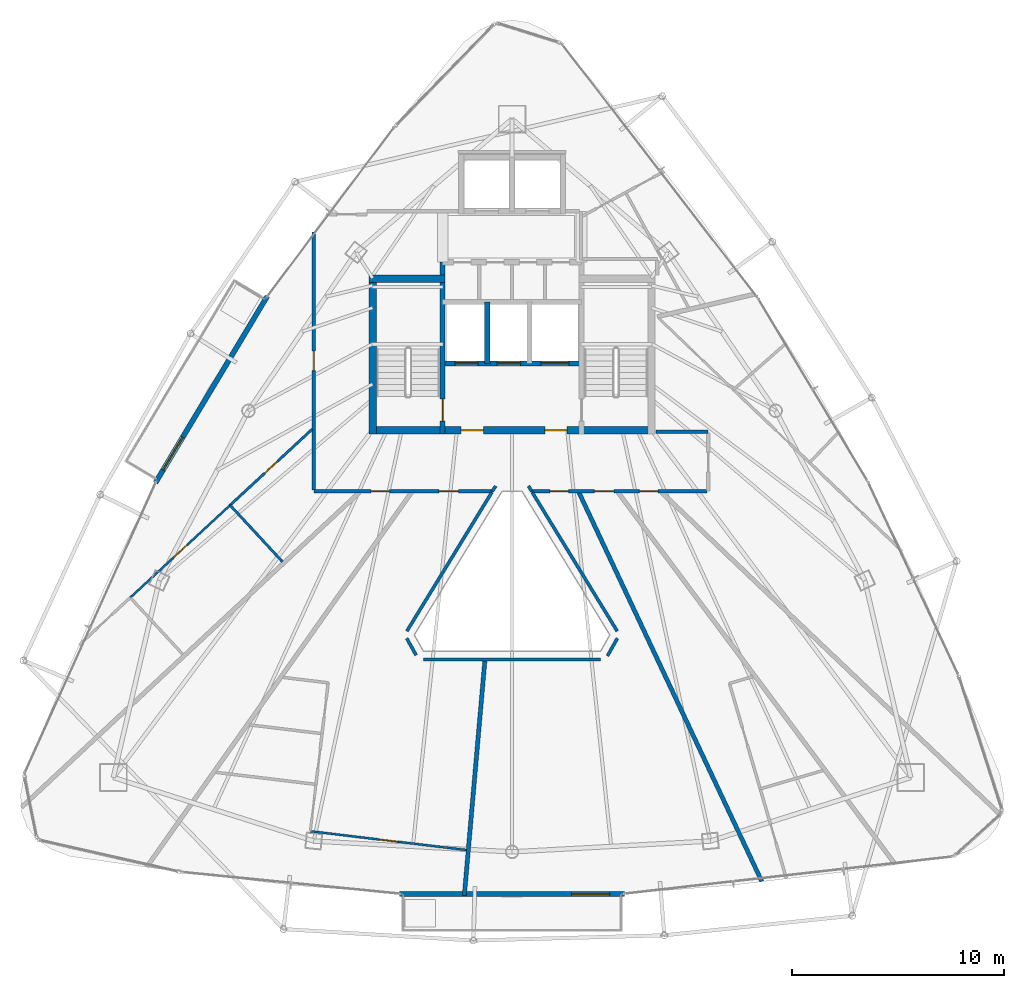
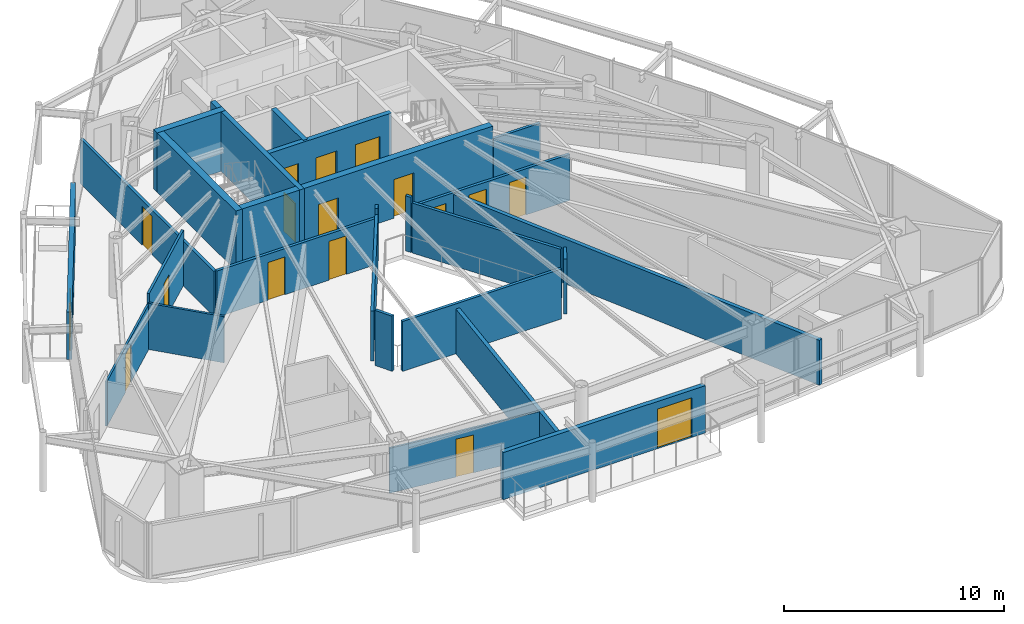
# One storey, part 27 of 32: 25 walls, 17 doors, 17 openings.
"""IFC4 building model written with IfcOpenShell, lengths in metres."""

from ifc_helpers import new_model, si_unit, direction, frame, frame_2d, origin, place, context, subcontext, project, spatial, rectangle, extrude, material, layer, layer_set, type_object, element, fill, save


model = new_model("IFC4")

# Units and contexts
model_context = context("Model", 3, precision=1e-05, world=origin(), true_north=direction((0.0, 1.0)))
body_context = subcontext(model_context, "Body", "Model", "MODEL_VIEW")
ifc_project = project(units=[si_unit("LENGTHUNIT", "METRE"), si_unit("AREAUNIT", "SQUARE_METRE"), si_unit("VOLUMEUNIT", "CUBIC_METRE"), si_unit("PLANEANGLEUNIT", "RADIAN"), si_unit("MASSUNIT", "GRAM", prefix="KILO")], contexts=[model_context])

# Site, building, storey
site_placement = place(None, origin())
site = spatial("IfcSite", under=ifc_project, at=site_placement, CompositionType="ELEMENT")
building_placement = place(site_placement, origin())
building = spatial("IfcBuilding", under=site, at=building_placement, Name="Orvanel Arch Residences", CompositionType="ELEMENT")
storey_placement = place(building_placement, frame((0.0, 0.0, 219.5)))
storey = spatial("IfcBuildingStorey", under=building, at=storey_placement, Name="L62", CompositionType="ELEMENT", Elevation=219.5)

# Wall, opening, door
ifc_material_1 = material(Name="Precast concrete N50 (50 MPa)", Category="concrete")
ifc_layer_1 = layer(ifc_material_1, 0.239990234375)
ifc_layer_set_1 = layer_set([ifc_layer_1], Name="Precast concrete N50 (50 MPa)")
wall_type_1 = type_object("IfcWallType", Name="EW-BAL-240", PredefinedType="SOLIDWALL", material=ifc_layer_set_1)
wall_1_placement = place(storey_placement, frame((21.4580078125, 33.0419921875, 0.0), z_axis=(0.0, 0.0, 1.0), x_axis=(-0.51433465168, -0.857589567381, 0.0)))
wall_1 = element("IfcWall", 1, at=wall_1_placement, inside=storey, type_object=wall_type_1, Name="L62 Balcony Threshold Wall Face 1", PredefinedType="SOLIDWALL", context=body_context, shape_type="SweptSolid", body=[
    extrude(rectangle(XDim=10.251953125, YDim=0.239990234375, at=frame_2d((5.1259765625, 0.0))), origin(), (0.0, 0.0, 1.0), 2.6240234375),
])
opening_1_placement = place(wall_1_placement, frame((7.75390625, 0.0, 0.0)))
opening_1 = element("IfcOpeningElement", 2, at=opening_1_placement, cuts=wall_1, Name="Opening DB-180", PredefinedType="OPENING", context=body_context, shape_type="SweptSolid", body=[
    extrude(rectangle(XDim=1.800048828125, YDim=2.199951171875, at=frame_2d((0.89990234375, 1.10009765625))), frame((0.0, 0.1298828125, 0.0), z_axis=(0.0, -1.0, 0.0), x_axis=(1.0, 0.0, 0.0)), (0.0, 0.0, 1.0), 0.260009765625),
])
ifc_material_2 = material(Name="Bronze-anodised aluminium AA6063-T6", Category="aluminium")
door_type_1 = type_object("IfcDoorType", Name="DR-BAL-1800", OperationType="NOTDEFINED", PredefinedType="DOOR", material=ifc_material_2)
door_1_placement = place(opening_1_placement, origin())
door_1 = element("IfcDoor", 3, at=door_1_placement, inside=storey, type_object=door_type_1, Name="DR-L62-BAL-F1 L62 Planted Balcony Access Door Face 1", OperationType="SINGLE_SWING_RIGHT", OverallHeight=2.199951171875, OverallWidth=1.800048828125, PredefinedType="DOOR", context=body_context, shape_type="SweptSolid", body=[
    extrude(rectangle(XDim=1.800048828125, YDim=2.199951171875, at=frame_2d((0.89990234375, 1.10009765625))), frame((0.0, 0.02490234375, 0.0), z_axis=(0.0, -1.0, 0.0), x_axis=(1.0, 0.0, 0.0)), (0.0, 0.0, 1.0), 0.050048828125),
])
fill(opening_1, door_1)

wall_2_placement = place(storey_placement, frame((27.696044921875, 4.85888671875, 0.0), z_axis=(0.0, 0.0, 1.0), x_axis=(1.0, 0.0, 0.0)))
wall_2 = element("IfcWall", 4, at=wall_2_placement, inside=storey, type_object=wall_type_1, Name="L62 Balcony Threshold Wall Face 2", PredefinedType="SOLIDWALL", context=body_context, shape_type="SweptSolid", body=[
    extrude(rectangle(XDim=10.60791015625, YDim=0.239990234375, at=frame_2d((5.303955078125, 0.0))), origin(), (0.0, 0.0, 1.0), 2.6240234375),
])
opening_2_placement = place(wall_2_placement, frame((8.10888671875, 0.0, 0.0)))
opening_2 = element("IfcOpeningElement", 5, at=opening_2_placement, cuts=wall_2, Name="Opening DB-180", PredefinedType="OPENING", context=body_context, shape_type="SweptSolid", body=[
    extrude(rectangle(XDim=1.800048828125, YDim=2.199951171875, at=frame_2d((0.89990234375, 1.10009765625))), frame((0.0, 0.1298828125, 0.0), z_axis=(0.0, -1.0, 0.0), x_axis=(1.0, 0.0, 0.0)), (0.0, 0.0, 1.0), 0.260009765625),
])
door_2_placement = place(opening_2_placement, origin())
door_2 = element("IfcDoor", 6, at=door_2_placement, inside=storey, type_object=door_type_1, Name="DR-L62-BAL-F2 L62 Planted Balcony Access Door Face 2", OperationType="SINGLE_SWING_LEFT", OverallHeight=2.199951171875, OverallWidth=1.800048828125, PredefinedType="DOOR", context=body_context, shape_type="SweptSolid", body=[
    extrude(rectangle(XDim=1.800048828125, YDim=2.199951171875, at=frame_2d((0.89990234375, 1.10009765625))), frame((0.0, 0.02490234375, 0.0), z_axis=(0.0, -1.0, 0.0), x_axis=(1.0, 0.0, 0.0)), (0.0, 0.0, 1.0), 0.050048828125),
])
fill(opening_2, door_2)

ifc_material_3 = material(Name="Concrete N50 (50 MPa)", Category="concrete")
ifc_layer_2 = layer(ifc_material_3, 0.25)
ifc_layer_set_2 = layer_set([ifc_layer_2], Name="Concrete N50 (50 MPa)")
wall_type_2 = type_object("IfcWallType", Name="SW-CORE-250", PredefinedType="SHEAR", material=ifc_layer_set_2)
wall_3_placement = place(storey_placement, frame((29.72509765625, 26.550048828125, 0.0), z_axis=(0.0, 0.0, 1.0), x_axis=(0.0, 1.0, 0.0)))
wall_3 = element("IfcWall", 7, at=wall_3_placement, inside=storey, type_object=wall_type_2, Name="L62 West Inner Core Spine Shear Wall", PredefinedType="SHEAR", context=body_context, shape_type="SweptSolid", body=[
    extrude(rectangle(XDim=8.099853515625, YDim=0.25, at=frame_2d((4.0498046875, 0.0))), origin(), (0.0, 0.0, 1.0), 3.300048828125),
])
opening_3_placement = place(wall_3_placement, frame((0.60009765625, 0.0, 0.0)))
opening_3 = element("IfcOpeningElement", 8, at=opening_3_placement, cuts=wall_3, Name="Opening DF-120", PredefinedType="OPENING", context=body_context, shape_type="SweptSolid", body=[
    extrude(rectangle(XDim=1.050048828125, YDim=2.14990234375, at=frame_2d((0.52490234375, 1.074951171875))), frame((0.0, 0.135009765625, 0.0), z_axis=(0.0, -1.0, 0.0), x_axis=(1.0, 0.0, 0.0)), (0.0, 0.0, 1.0), 0.27001953125),
])
ifc_material_4 = material(Name="Galvanised steel fire-resisting door assembly", Category="steel")
door_type_2 = type_object("IfcDoorType", Name="DR-FD120-1050", OperationType="NOTDEFINED", PredefinedType="DOOR", material=ifc_material_4)
door_3_placement = place(opening_3_placement, origin())
door_3 = element("IfcDoor", 9, at=door_3_placement, inside=storey, type_object=door_type_2, Name="DR-L62-ST1 L62 Stair 1 Fire Door", OperationType="SINGLE_SWING_LEFT", OverallHeight=2.14990234375, OverallWidth=1.050048828125, PredefinedType="DOOR", context=body_context, shape_type="SweptSolid", body=[
    extrude(rectangle(XDim=1.050048828125, YDim=2.14990234375, at=frame_2d((0.52490234375, 1.074951171875))), frame((0.0, 0.02490234375, 0.0), z_axis=(0.0, -1.0, 0.0), x_axis=(1.0, 0.0, 0.0)), (0.0, 0.0, 1.0), 0.050048828125),
])
fill(opening_3, door_3)

# Wall, openings, doors
wall_4_placement = place(storey_placement, frame((36.27490234375, 29.875, 0.0), z_axis=(0.0, 0.0, 1.0), x_axis=(-1.0, 0.0, 0.0)))
wall_4 = element("IfcWall", 10, at=wall_4_placement, inside=storey, type_object=wall_type_2, Name="L62 Emergency Lift Front Core Shear Wall", PredefinedType="SHEAR", context=body_context, shape_type="SweptSolid", body=[
    extrude(rectangle(XDim=6.5498046875, YDim=0.25, at=frame_2d((3.27490234375, 0.0))), origin(), (0.0, 0.0, 1.0), 3.300048828125),
])
opening_4_placement = place(wall_4_placement, frame((4.875, 0.0, 0.0)))
opening_4 = element("IfcOpeningElement", 11, at=opening_4_placement, cuts=wall_4, Name="Opening LD-110", PredefinedType="OPENING", context=body_context, shape_type="SweptSolid", body=[
    extrude(rectangle(XDim=1.10009765625, YDim=2.199951171875, at=frame_2d((0.550048828125, 1.10009765625))), frame((0.0, 0.135009765625, 0.0), z_axis=(0.0, -1.0, 0.0), x_axis=(1.0, 0.0, 0.0)), (0.0, 0.0, 1.0), 0.27001953125),
])
opening_5_placement = place(wall_4_placement, frame((2.875, 0.0, 0.0)))
opening_5 = element("IfcOpeningElement", 12, at=opening_5_placement, cuts=wall_4, Name="Opening LD-110", PredefinedType="OPENING", context=body_context, shape_type="SweptSolid", body=[
    extrude(rectangle(XDim=1.10009765625, YDim=2.199951171875, at=frame_2d((0.550048828125, 1.10009765625))), frame((0.0, 0.135009765625, 0.0), z_axis=(0.0, -1.0, 0.0), x_axis=(1.0, 0.0, 0.0)), (0.0, 0.0, 1.0), 0.27001953125),
])
opening_6_placement = place(wall_4_placement, frame((0.60009765625, 0.0, 0.0)))
opening_6 = element("IfcOpeningElement", 13, at=opening_6_placement, cuts=wall_4, Name="Opening LD-130", PredefinedType="OPENING", context=body_context, shape_type="SweptSolid", body=[
    extrude(rectangle(XDim=1.300048828125, YDim=2.199951171875, at=frame_2d((0.64990234375, 1.10009765625))), frame((0.0, 0.135009765625, 0.0), z_axis=(0.0, -1.0, 0.0), x_axis=(1.0, 0.0, 0.0)), (0.0, 0.0, 1.0), 0.27001953125),
])
door_type_3 = type_object("IfcDoorType", Name="DR-LFT-1100", OperationType="NOTDEFINED", PredefinedType="DOOR", material=ifc_material_4)
door_4_placement = place(opening_4_placement, origin())
door_4 = element("IfcDoor", 14, at=door_4_placement, inside=storey, type_object=door_type_3, Name="LD-F1-L62 L62 Lift F1 Sliding Landing Door", OperationType="DOUBLE_DOOR_SLIDING", OverallHeight=2.199951171875, OverallWidth=1.10009765625, PredefinedType="DOOR", context=body_context, shape_type="SweptSolid", body=[
    extrude(rectangle(XDim=1.10009765625, YDim=2.199951171875, at=frame_2d((0.550048828125, 1.10009765625))), frame((0.0, 0.02490234375, 0.0), z_axis=(0.0, -1.0, 0.0), x_axis=(1.0, 0.0, 0.0)), (0.0, 0.0, 1.0), 0.050048828125),
])
fill(opening_4, door_4)
door_5_placement = place(opening_5_placement, origin())
door_5 = element("IfcDoor", 15, at=door_5_placement, inside=storey, type_object=door_type_3, Name="LD-F2-L62 L62 Lift F2 Sliding Landing Door", OperationType="DOUBLE_DOOR_SLIDING", OverallHeight=2.199951171875, OverallWidth=1.10009765625, PredefinedType="DOOR", context=body_context, shape_type="SweptSolid", body=[
    extrude(rectangle(XDim=1.10009765625, YDim=2.199951171875, at=frame_2d((0.550048828125, 1.10009765625))), frame((0.0, 0.02490234375, 0.0), z_axis=(0.0, -1.0, 0.0), x_axis=(1.0, 0.0, 0.0)), (0.0, 0.0, 1.0), 0.050048828125),
])
fill(opening_5, door_5)
door_type_4 = type_object("IfcDoorType", Name="DR-LFT-1300", OperationType="NOTDEFINED", PredefinedType="DOOR", material=ifc_material_4)
door_6_placement = place(opening_6_placement, origin())
door_6 = element("IfcDoor", 16, at=door_6_placement, inside=storey, type_object=door_type_4, Name="LD-G1-L62 L62 Lift G1 Sliding Landing Door", OperationType="DOUBLE_DOOR_SLIDING", OverallHeight=2.199951171875, OverallWidth=1.300048828125, PredefinedType="DOOR", context=body_context, shape_type="SweptSolid", body=[
    extrude(rectangle(XDim=1.300048828125, YDim=2.199951171875, at=frame_2d((0.64990234375, 1.10009765625))), frame((0.0, 0.02490234375, 0.0), z_axis=(0.0, -1.0, 0.0), x_axis=(1.0, 0.0, 0.0)), (0.0, 0.0, 1.0), 0.050048828125),
])
fill(opening_6, door_6)

# Wall
wall_5_placement = place(storey_placement, frame((31.824951171875, 29.875, 0.0), z_axis=(0.0, 0.0, 1.0), x_axis=(0.0, 1.0, 0.0)))
element("IfcWall", 17, at=wall_5_placement, inside=storey, type_object=wall_type_2, Name="L62 Emergency Lift Inter-Shaft Wall F12", PredefinedType="SHEAR", context=body_context, shape_type="SweptSolid", body=[
    extrude(rectangle(XDim=2.89990234375, YDim=0.25, at=frame_2d((1.449951171875, 0.0))), origin(), (0.0, 0.0, 1.0), 3.300048828125),
])

# Wall, openings, doors
ifc_layer_3 = layer(ifc_material_3, 0.35009765625)
ifc_layer_set_3 = layer_set([ifc_layer_3], Name="Concrete N50 (50 MPa)")
wall_type_3 = type_object("IfcWallType", Name="SW-CORE-350", PredefinedType="SHEAR", material=ifc_layer_set_3)
wall_6_placement = place(storey_placement, frame((26.25, 26.72509765625, 0.0), z_axis=(0.0, 0.0, 1.0), x_axis=(1.0, 0.0, 0.0)))
wall_6 = element("IfcWall", 18, at=wall_6_placement, inside=storey, type_object=wall_type_3, Name="L62 South Core Shear Wall", PredefinedType="SHEAR", context=body_context, shape_type="SweptSolid", body=[
    extrude(rectangle(XDim=13.5, YDim=0.35009765625, at=frame_2d((6.75, 0.0))), origin(), (0.0, 0.0, 1.0), 3.300048828125),
])
opening_7_placement = place(wall_6_placement, frame((4.35009765625, 0.0, 0.0)))
opening_7 = element("IfcOpeningElement", 19, at=opening_7_placement, cuts=wall_6, Name="Opening DF-060", PredefinedType="OPENING", context=body_context, shape_type="SweptSolid", body=[
    extrude(rectangle(XDim=1.050048828125, YDim=2.14990234375, at=frame_2d((0.52490234375, 1.074951171875))), frame((0.0, 0.18505859375, 0.0), z_axis=(0.0, -1.0, 0.0), x_axis=(1.0, 0.0, 0.0)), (0.0, 0.0, 1.0), 0.3701171875),
])
opening_8_placement = place(wall_6_placement, frame((8.300048828125, 0.0, 0.0)))
opening_8 = element("IfcOpeningElement", 20, at=opening_8_placement, cuts=wall_6, Name="Opening DF-060", PredefinedType="OPENING", context=body_context, shape_type="SweptSolid", body=[
    extrude(rectangle(XDim=1.050048828125, YDim=2.14990234375, at=frame_2d((0.52490234375, 1.074951171875))), frame((0.0, 0.18505859375, 0.0), z_axis=(0.0, -1.0, 0.0), x_axis=(1.0, 0.0, 0.0)), (0.0, 0.0, 1.0), 0.3701171875),
])
door_type_5 = type_object("IfcDoorType", Name="DR-FD60-1050", OperationType="NOTDEFINED", PredefinedType="DOOR", material=ifc_material_4)
door_7_placement = place(opening_7_placement, origin())
door_7 = element("IfcDoor", 21, at=door_7_placement, inside=storey, type_object=door_type_5, Name="DR-L62-FFL-W L62 West Smoke Lobby Door", OperationType="SINGLE_SWING_LEFT", OverallHeight=2.14990234375, OverallWidth=1.050048828125, PredefinedType="DOOR", context=body_context, shape_type="SweptSolid", body=[
    extrude(rectangle(XDim=1.050048828125, YDim=2.14990234375, at=frame_2d((0.52490234375, 1.074951171875))), frame((0.0, 0.02490234375, 0.0), z_axis=(0.0, -1.0, 0.0), x_axis=(1.0, 0.0, 0.0)), (0.0, 0.0, 1.0), 0.050048828125),
])
fill(opening_7, door_7)
door_8_placement = place(opening_8_placement, origin())
door_8 = element("IfcDoor", 22, at=door_8_placement, inside=storey, type_object=door_type_5, Name="DR-L62-FFL-E L62 East Smoke Lobby Door", OperationType="SINGLE_SWING_RIGHT", OverallHeight=2.14990234375, OverallWidth=1.050048828125, PredefinedType="DOOR", context=body_context, shape_type="SweptSolid", body=[
    extrude(rectangle(XDim=1.050048828125, YDim=2.14990234375, at=frame_2d((0.52490234375, 1.074951171875))), frame((0.0, 0.02490234375, 0.0), z_axis=(0.0, -1.0, 0.0), x_axis=(1.0, 0.0, 0.0)), (0.0, 0.0, 1.0), 0.050048828125),
])
fill(opening_8, door_8)

# Walls
wall_7_placement = place(storey_placement, frame((26.425048828125, 26.550048828125, 0.0), z_axis=(0.0, 0.0, 1.0), x_axis=(0.0, 1.0, 0.0)))
element("IfcWall", 23, at=wall_7_placement, inside=storey, type_object=wall_type_3, Name="L62 West Stair Shear Wall", PredefinedType="SHEAR", context=body_context, shape_type="SweptSolid", body=[
    extrude(rectangle(XDim=7.5, YDim=0.35009765625, at=frame_2d((3.75, 0.0))), origin(), (0.0, 0.0, 1.0), 3.300048828125),
])
wall_8_placement = place(storey_placement, frame((26.25, 33.875, 0.0), z_axis=(0.0, 0.0, 1.0), x_axis=(1.0, 0.0, 0.0)))
element("IfcWall", 24, at=wall_8_placement, inside=storey, type_object=wall_type_3, Name="L62 West Stair North Shear Wall", PredefinedType="SHEAR", context=body_context, shape_type="SweptSolid", body=[
    extrude(rectangle(XDim=3.60009765625, YDim=0.35009765625, at=frame_2d((1.800048828125, 0.0))), origin(), (0.0, 0.0, 1.0), 3.300048828125),
])
ifc_material_5 = material(Name="Fire-rated plasterboard lined steel stud partition", Category="steel")
ifc_layer_4 = layer(ifc_material_5, 0.14990234375)
ifc_layer_set_4 = layer_set([ifc_layer_4], Name="Fire-rated plasterboard lined steel stud partition")
wall_type_4 = type_object("IfcWallType", Name="W-COR-150", PredefinedType="PARTITIONING", material=ifc_layer_set_4)
wall_9_placement = place(storey_placement, frame((32.22802734375, 24.093994140625, 0.0), z_axis=(0.0, 0.0, 1.0), x_axis=(-0.53643811989, -0.843939656331, 0.0)))
element("IfcWall", 25, at=wall_9_placement, inside=storey, type_object=wall_type_4, Name="L62 Corridor Fire-Rated Partition", PredefinedType="PARTITIONING", context=body_context, shape_type="SweptSolid", body=[
    extrude(rectangle(XDim=0.2890625, YDim=0.14990234375, at=frame_2d((0.14453125, 0.0))), origin(), (0.0, 0.0, 1.0), 3.06005859375),
])

# Wall, openings, doors
wall_10_placement = place(storey_placement, frame((32.072998046875, 23.85009765625, 0.0), z_axis=(0.0, 0.0, 1.0), x_axis=(-1.0, 0.0, 0.0)))
wall_10 = element("IfcWall", 26, at=wall_10_placement, inside=storey, type_object=wall_type_4, Name="L62 Corridor Fire-Rated Partition", PredefinedType="PARTITIONING", context=body_context, shape_type="SweptSolid", body=[
    extrude(rectangle(XDim=8.423095703125, YDim=0.14990234375, at=frame_2d((4.21142578125, 0.0))), origin(), (0.0, 0.0, 1.0), 2.56494140625),
])
opening_9_placement = place(wall_10_placement, frame((1.60107421875, 0.0, 0.0)))
opening_9 = element("IfcOpeningElement", 27, at=opening_9_placement, cuts=wall_10, Name="Opening DA-092", PredefinedType="OPENING", context=body_context, shape_type="SweptSolid", body=[
    extrude(rectangle(XDim=0.919921875, YDim=2.14990234375, at=frame_2d((0.4599609375, 1.074951171875))), frame((0.0, 0.0849609375, 0.0), z_axis=(0.0, -1.0, 0.0), x_axis=(1.0, 0.0, 0.0)), (0.0, 0.0, 1.0), 0.169921875),
])
opening_10_placement = place(wall_10_placement, frame((4.841064453125, 0.0, 0.0)))
opening_10 = element("IfcOpeningElement", 28, at=opening_10_placement, cuts=wall_10, Name="Opening DI-088", PredefinedType="OPENING", context=body_context, shape_type="SweptSolid", body=[
    extrude(rectangle(XDim=0.8798828125, YDim=2.10009765625, at=frame_2d((0.43994140625, 1.050048828125))), frame((0.0, 0.0849609375, 0.0), z_axis=(0.0, -1.0, 0.0), x_axis=(1.0, 0.0, 0.0)), (0.0, 0.0, 1.0), 0.169921875),
])
ifc_material_6 = material(Name="Solid-core European oak veneer fire door leaf", Category="wood")
door_type_6 = type_object("IfcDoorType", Name="DR-APT-920", OperationType="NOTDEFINED", PredefinedType="DOOR", material=ifc_material_6)
door_9_placement = place(opening_9_placement, origin())
door_9 = element("IfcDoor", 29, at=door_9_placement, inside=storey, type_object=door_type_6, Name="DR-L62-A-ENT L62 Studio A Entrance Door", OperationType="SINGLE_SWING_RIGHT", OverallHeight=2.14990234375, OverallWidth=0.919921875, PredefinedType="DOOR", context=body_context, shape_type="SweptSolid", body=[
    extrude(rectangle(XDim=0.919921875, YDim=2.14990234375, at=frame_2d((0.4599609375, 1.074951171875))), frame((0.0, 0.02490234375, 0.0), z_axis=(0.0, -1.0, 0.0), x_axis=(1.0, 0.0, 0.0)), (0.0, 0.0, 1.0), 0.050048828125),
])
fill(opening_9, door_9)
door_type_7 = type_object("IfcDoorType", Name="DR-INT-880", OperationType="NOTDEFINED", PredefinedType="DOOR", material=ifc_material_6)
door_10_placement = place(opening_10_placement, origin())
door_10 = element("IfcDoor", 30, at=door_10_placement, inside=storey, type_object=door_type_7, Name="DR-L62-SHRD-FB6 L62 Co-Working Study Office F Door", OperationType="SINGLE_SWING_LEFT", OverallHeight=2.10009765625, OverallWidth=0.8798828125, PredefinedType="DOOR", context=body_context, shape_type="SweptSolid", body=[
    extrude(rectangle(XDim=0.8798828125, YDim=2.10009765625, at=frame_2d((0.43994140625, 1.050048828125))), frame((0.0, 0.02490234375, 0.0), z_axis=(0.0, -1.0, 0.0), x_axis=(1.0, 0.0, 0.0)), (0.0, 0.0, 1.0), 0.050048828125),
])
fill(opening_10, door_10)

# Wall, opening, door
wall_11_placement = place(storey_placement, frame((23.64990234375, 23.909912109375, 0.0), z_axis=(0.0, 0.0, 1.0), x_axis=(0.0, 1.0, 0.0)))
wall_11 = element("IfcWall", 31, at=wall_11_placement, inside=storey, type_object=wall_type_4, Name="L62 Corridor Fire-Rated Partition", PredefinedType="PARTITIONING", context=body_context, shape_type="SweptSolid", body=[
    extrude(rectangle(XDim=12.1630859375, YDim=0.14990234375, at=frame_2d((6.08154296875, 0.0))), origin(), (0.0, 0.0, 1.0), 2.491943359375),
])
opening_11_placement = place(wall_11_placement, frame((5.6220703125, 0.0, 0.0)))
opening_11 = element("IfcOpeningElement", 32, at=opening_11_placement, cuts=wall_11, Name="Opening DA-092", PredefinedType="OPENING", context=body_context, shape_type="SweptSolid", body=[
    extrude(rectangle(XDim=0.919921875, YDim=2.14990234375, at=frame_2d((0.4599609375, 1.074951171875))), frame((0.0, 0.0849609375, 0.0), z_axis=(0.0, -1.0, 0.0), x_axis=(1.0, 0.0, 0.0)), (0.0, 0.0, 1.0), 0.169921875),
])
door_11_placement = place(opening_11_placement, origin())
door_11 = element("IfcDoor", 33, at=door_11_placement, inside=storey, type_object=door_type_6, Name="DR-L62-D-ENT L62 Studio D Entrance Door", OperationType="SINGLE_SWING_LEFT", OverallHeight=2.14990234375, OverallWidth=0.919921875, PredefinedType="DOOR", context=body_context, shape_type="SweptSolid", body=[
    extrude(rectangle(XDim=0.919921875, YDim=2.14990234375, at=frame_2d((0.4599609375, 1.074951171875))), frame((0.0, 0.02490234375, 0.0), z_axis=(0.0, -1.0, 0.0), x_axis=(1.0, 0.0, 0.0)), (0.0, 0.0, 1.0), 0.050048828125),
])
fill(opening_11, door_11)

# Wall
wall_12_placement = place(storey_placement, frame((39.7900390625, 26.64990234375, 0.0), z_axis=(0.0, 0.0, 1.0), x_axis=(1.0, 0.0, 0.0)))
element("IfcWall", 34, at=wall_12_placement, inside=storey, type_object=wall_type_4, Name="L62 Corridor Fire-Rated Partition", PredefinedType="PARTITIONING", context=body_context, shape_type="SweptSolid", body=[
    extrude(rectangle(XDim=2.4599609375, YDim=0.14990234375, at=frame_2d((1.22998046875, 0.0))), origin(), (0.0, 0.0, 1.0), 2.56494140625),
])

# Wall, openings, doors
wall_13_placement = place(storey_placement, frame((42.18994140625, 23.85009765625, 0.0), z_axis=(0.0, 0.0, 1.0), x_axis=(-1.0, 0.0, 0.0)))
wall_13 = element("IfcWall", 35, at=wall_13_placement, inside=storey, type_object=wall_type_4, Name="L62 Corridor Fire-Rated Partition", PredefinedType="PARTITIONING", context=body_context, shape_type="SweptSolid", body=[
    extrude(rectangle(XDim=8.262939453125, YDim=0.14990234375, at=frame_2d((4.13134765625, 0.0))), origin(), (0.0, 0.0, 1.0), 2.56494140625),
])
opening_12_placement = place(wall_13_placement, frame((6.51611328125, 0.0, 0.0)))
opening_12 = element("IfcOpeningElement", 36, at=opening_12_placement, cuts=wall_13, Name="Opening DI-088", PredefinedType="OPENING", context=body_context, shape_type="SweptSolid", body=[
    extrude(rectangle(XDim=0.8798828125, YDim=2.10009765625, at=frame_2d((0.43994140625, 1.050048828125))), frame((0.0, 0.0849609375, 0.0), z_axis=(0.0, -1.0, 0.0), x_axis=(1.0, 0.0, 0.0)), (0.0, 0.0, 1.0), 0.169921875),
])
opening_13_placement = place(wall_13_placement, frame((2.306884765625, 0.0, 0.0)))
opening_13 = element("IfcOpeningElement", 37, at=opening_13_placement, cuts=wall_13, Name="Opening DI-088", PredefinedType="OPENING", context=body_context, shape_type="SweptSolid", body=[
    extrude(rectangle(XDim=0.8798828125, YDim=2.10009765625, at=frame_2d((0.43994140625, 1.050048828125))), frame((0.0, 0.0849609375, 0.0), z_axis=(0.0, -1.0, 0.0), x_axis=(1.0, 0.0, 0.0)), (0.0, 0.0, 1.0), 0.169921875),
])
opening_14_placement = place(wall_13_placement, frame((4.384033203125, 0.0, 0.0)))
opening_14 = element("IfcOpeningElement", 38, at=opening_14_placement, cuts=wall_13, Name="Opening DA-092", PredefinedType="OPENING", context=body_context, shape_type="SweptSolid", body=[
    extrude(rectangle(XDim=0.919921875, YDim=2.14990234375, at=frame_2d((0.4599609375, 1.074951171875))), frame((0.0, 0.0849609375, 0.0), z_axis=(0.0, -1.0, 0.0), x_axis=(1.0, 0.0, 0.0)), (0.0, 0.0, 1.0), 0.169921875),
])
door_12_placement = place(opening_14_placement, origin())
door_12 = element("IfcDoor", 39, at=door_12_placement, inside=storey, type_object=door_type_6, Name="DR-L62-H-ENT L62 Studio H Entrance Door", OperationType="SINGLE_SWING_LEFT", OverallHeight=2.14990234375, OverallWidth=0.919921875, PredefinedType="DOOR", context=body_context, shape_type="SweptSolid", body=[
    extrude(rectangle(XDim=0.919921875, YDim=2.14990234375, at=frame_2d((0.4599609375, 1.074951171875))), frame((0.0, 0.02490234375, 0.0), z_axis=(0.0, -1.0, 0.0), x_axis=(1.0, 0.0, 0.0)), (0.0, 0.0, 1.0), 0.050048828125),
])
fill(opening_14, door_12)
door_13_placement = place(opening_12_placement, origin())
door_13 = element("IfcDoor", 40, at=door_13_placement, inside=storey, type_object=door_type_7, Name="DR-L62-SHRD-FB3 L62 Co-Working Study Office C Door", OperationType="SINGLE_SWING_LEFT", OverallHeight=2.10009765625, OverallWidth=0.8798828125, PredefinedType="DOOR", context=body_context, shape_type="SweptSolid", body=[
    extrude(rectangle(XDim=0.8798828125, YDim=2.10009765625, at=frame_2d((0.43994140625, 1.050048828125))), frame((0.0, 0.02490234375, 0.0), z_axis=(0.0, -1.0, 0.0), x_axis=(1.0, 0.0, 0.0)), (0.0, 0.0, 1.0), 0.050048828125),
])
fill(opening_12, door_13)
door_14_placement = place(opening_13_placement, origin())
door_14 = element("IfcDoor", 41, at=door_14_placement, inside=storey, type_object=door_type_7, Name="DR-L62-SHRD-FB7 L62 Co-Working Study Office G Door", OperationType="SINGLE_SWING_LEFT", OverallHeight=2.10009765625, OverallWidth=0.8798828125, PredefinedType="DOOR", context=body_context, shape_type="SweptSolid", body=[
    extrude(rectangle(XDim=0.8798828125, YDim=2.10009765625, at=frame_2d((0.43994140625, 1.050048828125))), frame((0.0, 0.02490234375, 0.0), z_axis=(0.0, -1.0, 0.0), x_axis=(1.0, 0.0, 0.0)), (0.0, 0.0, 1.0), 0.050048828125),
])
fill(opening_13, door_14)

# Walls
wall_14_placement = place(storey_placement, frame((33.927001953125, 23.85107421875, 0.0), z_axis=(0.0, 0.0, 1.0), x_axis=(-0.537971414128, 0.84296308198, 0.0)))
element("IfcWall", 42, at=wall_14_placement, inside=storey, type_object=wall_type_4, Name="L62 Corridor Fire-Rated Partition", PredefinedType="PARTITIONING", context=body_context, shape_type="SweptSolid", body=[
    extrude(rectangle(XDim=0.2880859375, YDim=0.14990234375, at=frame_2d((0.14404296875, 0.0))), origin(), (0.0, 0.0, 1.0), 3.06005859375),
])
wall_15_placement = place(storey_placement, frame((33.9580078125, 23.7900390625, 0.0), z_axis=(0.0, 0.0, 1.0), x_axis=(0.521949656317, -0.852976292912, 0.0)))
element("IfcWall", 43, at=wall_15_placement, inside=storey, type_object=wall_type_4, Name="L62 Atrium Overlook Glazed Partition", PredefinedType="PARTITIONING", context=body_context, shape_type="SweptSolid", body=[
    extrude(rectangle(XDim=7.667236328125, YDim=0.14990234375, at=frame_2d((3.83349609375, 0.0))), origin(), (0.0, 0.0, 1.0), 2.77294921875),
])
wall_16_placement = place(storey_placement, frame((37.966064453125, 16.9140625, 0.0), z_axis=(0.0, 0.0, 1.0), x_axis=(-0.48879868802, -0.872396608539, 0.0)))
element("IfcWall", 44, at=wall_16_placement, inside=storey, type_object=wall_type_4, Name="L62 Atrium Overlook Glazed Partition", PredefinedType="PARTITIONING", context=body_context, shape_type="SweptSolid", body=[
    extrude(rectangle(XDim=0.951416015625, YDim=0.14990234375, at=frame_2d((0.4755859375, 0.0))), origin(), (0.0, 0.0, 1.0), 3.06005859375),
])
wall_17_placement = place(storey_placement, frame((37.172119140625, 15.912109375, 0.0), z_axis=(0.0, 0.0, 1.0), x_axis=(-1.0, 0.0, 0.0)))
element("IfcWall", 45, at=wall_17_placement, inside=storey, type_object=wall_type_4, Name="L62 Atrium Overlook Glazed Partition", PredefinedType="PARTITIONING", context=body_context, shape_type="SweptSolid", body=[
    extrude(rectangle(XDim=8.34423828125, YDim=0.14990234375, at=frame_2d((4.172119140625, 0.0))), origin(), (0.0, 0.0, 1.0), 2.77294921875),
])
wall_18_placement = place(storey_placement, frame((28.47900390625, 16.116943359375, 0.0), z_axis=(0.0, 0.0, 1.0), x_axis=(-0.487503666908, 0.873120939361, 0.0)))
element("IfcWall", 46, at=wall_18_placement, inside=storey, type_object=wall_type_4, Name="L62 Atrium Overlook Glazed Partition", PredefinedType="PARTITIONING", context=body_context, shape_type="SweptSolid", body=[
    extrude(rectangle(XDim=0.912841796875, YDim=0.14990234375, at=frame_2d((0.45654296875, 0.0))), origin(), (0.0, 0.0, 1.0), 3.06005859375),
])
wall_19_placement = place(storey_placement, frame((28.0400390625, 17.25, 0.0), z_axis=(0.0, 0.0, 1.0), x_axis=(0.521949656317, 0.852976292912, 0.0)))
element("IfcWall", 47, at=wall_19_placement, inside=storey, type_object=wall_type_4, Name="L62 Atrium Overlook Glazed Partition", PredefinedType="PARTITIONING", context=body_context, shape_type="SweptSolid", body=[
    extrude(rectangle(XDim=7.667236328125, YDim=0.14990234375, at=frame_2d((3.83349609375, 0.0))), origin(), (0.0, 0.0, 1.0), 2.77294921875),
])
ifc_layer_5 = layer(ifc_material_5, 0.199951171875)
ifc_layer_set_5 = layer_set([ifc_layer_5], Name="Fire-rated plasterboard lined steel stud partition")
wall_type_5 = type_object("IfcWallType", Name="W-DEM-200", PredefinedType="PARTITIONING", material=ifc_layer_set_5)
wall_20_placement = place(storey_placement, frame((31.718017578125, 15.85205078125, 0.0), z_axis=(0.0, 0.0, 1.0), x_axis=(-0.087103117533, -0.996199300801, 0.0)))
element("IfcWall", 48, at=wall_20_placement, inside=storey, type_object=wall_type_5, Name="L62 Inter-Tenancy Acoustic Demising Wall", PredefinedType="PARTITIONING", context=body_context, shape_type="SweptSolid", body=[
    extrude(rectangle(XDim=11.102294921875, YDim=0.199951171875, at=frame_2d((5.55126953125, 0.0))), origin(), (0.0, 0.0, 1.0), 2.491943359375),
])
wall_21_placement = place(storey_placement, frame((36.155029296875, 23.7900390625, 0.0), z_axis=(0.0, 0.0, 1.0), x_axis=(0.425451226132, -0.90498135571, 0.0)))
element("IfcWall", 49, at=wall_21_placement, inside=storey, type_object=wall_type_5, Name="L62 Inter-Tenancy Acoustic Demising Wall", PredefinedType="PARTITIONING", context=body_context, shape_type="SweptSolid", body=[
    extrude(rectangle(XDim=20.265625, YDim=0.199951171875, at=frame_2d((10.1328125, 0.0))), origin(), (0.0, 0.0, 1.0), 2.491943359375),
])

# Wall, opening, door
ifc_material_7 = material(Name="Acoustic plasterboard lined twin-stud partition", Category="gypsum")
ifc_layer_6 = layer(ifc_material_7, 0.10009765625)
ifc_layer_set_6 = layer_set([ifc_layer_6], Name="Acoustic plasterboard lined twin-stud partition")
wall_type_6 = type_object("IfcWallType", Name="W-INT-100", PredefinedType="PARTITIONING", material=ifc_layer_set_6)
wall_22_placement = place(storey_placement, frame((30.85302734375, 6.930908203125, 0.0), z_axis=(0.0, 0.0, 1.0), x_axis=(-0.992840033501, 0.119451529409, 0.0)))
wall_22 = element("IfcWall", 50, at=wall_22_placement, inside=storey, type_object=wall_type_6, Name="L62 Studio A Internal Partition", PredefinedType="PARTITIONING", context=body_context, shape_type="SweptSolid", body=[
    extrude(rectangle(XDim=7.417236328125, YDim=0.10009765625, at=frame_2d((3.70849609375, 0.0))), origin(), (0.0, 0.0, 1.0), 2.491943359375),
])
opening_15_placement = place(wall_22_placement, frame((3.26904296875, 0.0, 0.0)))
opening_15 = element("IfcOpeningElement", 51, at=opening_15_placement, cuts=wall_22, Name="Opening DI-088", PredefinedType="OPENING", context=body_context, shape_type="SweptSolid", body=[
    extrude(rectangle(XDim=0.8798828125, YDim=2.10009765625, at=frame_2d((0.43994140625, 1.050048828125))), frame((0.0, 0.06005859375, 0.0), z_axis=(0.0, -1.0, 0.0), x_axis=(1.0, 0.0, 0.0)), (0.0, 0.0, 1.0), 0.1201171875),
])
door_15_placement = place(opening_15_placement, origin())
door_15 = element("IfcDoor", 52, at=door_15_placement, inside=storey, type_object=door_type_7, Name="DR-L62-A-OFC1 L62 Studio A Home Work Office 1 Door", OperationType="SINGLE_SWING_LEFT", OverallHeight=2.10009765625, OverallWidth=0.8798828125, PredefinedType="DOOR", context=body_context, shape_type="SweptSolid", body=[
    extrude(rectangle(XDim=0.8798828125, YDim=2.10009765625, at=frame_2d((0.43994140625, 1.050048828125))), frame((0.0, 0.02490234375, 0.0), z_axis=(0.0, -1.0, 0.0), x_axis=(1.0, 0.0, 0.0)), (0.0, 0.0, 1.0), 0.050048828125),
])
fill(opening_15, door_15)

wall_23_placement = place(storey_placement, frame((19.7060546875, 23.19091796875, 0.0), z_axis=(0.0, 0.0, 1.0), x_axis=(-0.733941951163, -0.679212199775, 0.0)))
wall_23 = element("IfcWall", 53, at=wall_23_placement, inside=storey, type_object=wall_type_6, Name="L62 Studio D Internal Partition", PredefinedType="PARTITIONING", context=body_context, shape_type="SweptSolid", body=[
    extrude(rectangle(XDim=6.414794921875, YDim=0.10009765625, at=frame_2d((3.20751953125, 0.0))), origin(), (0.0, 0.0, 1.0), 2.491943359375),
])
opening_16_placement = place(wall_23_placement, frame((2.76708984375, 0.0, 0.0)))
opening_16 = element("IfcOpeningElement", 54, at=opening_16_placement, cuts=wall_23, Name="Opening DI-088", PredefinedType="OPENING", context=body_context, shape_type="SweptSolid", body=[
    extrude(rectangle(XDim=0.8798828125, YDim=2.10009765625, at=frame_2d((0.43994140625, 1.050048828125))), frame((0.0, 0.06005859375, 0.0), z_axis=(0.0, -1.0, 0.0), x_axis=(1.0, 0.0, 0.0)), (0.0, 0.0, 1.0), 0.1201171875),
])
door_16_placement = place(opening_16_placement, origin())
door_16 = element("IfcDoor", 55, at=door_16_placement, inside=storey, type_object=door_type_7, Name="DR-L62-D-AME1 L62 Studio D Resident Reading Library 2 Door", OperationType="SINGLE_SWING_LEFT", OverallHeight=2.10009765625, OverallWidth=0.8798828125, PredefinedType="DOOR", context=body_context, shape_type="SweptSolid", body=[
    extrude(rectangle(XDim=0.8798828125, YDim=2.10009765625, at=frame_2d((0.43994140625, 1.050048828125))), frame((0.0, 0.02490234375, 0.0), z_axis=(0.0, -1.0, 0.0), x_axis=(1.0, 0.0, 0.0)), (0.0, 0.0, 1.0), 0.050048828125),
])
fill(opening_16, door_16)

ifc_layer_7 = layer(ifc_material_7, 0.1201171875)
ifc_layer_set_7 = layer_set([ifc_layer_7], Name="Acoustic plasterboard lined twin-stud partition")
wall_type_7 = type_object("IfcWallType", Name="W-WET-120", PredefinedType="PARTITIONING", material=ifc_layer_set_7)
wall_24_placement = place(storey_placement, frame((23.590087890625, 26.785888671875, 0.0), z_axis=(0.0, 0.0, 1.0), x_axis=(-0.733888422473, -0.679270037143, 0.0)))
wall_24 = element("IfcWall", 56, at=wall_24_placement, inside=storey, type_object=wall_type_7, Name="L62 Studio D Bathroom Partition", PredefinedType="PARTITIONING", context=body_context, shape_type="SweptSolid", body=[
    extrude(rectangle(XDim=5.29248046875, YDim=0.1201171875, at=frame_2d((2.646240234375, 0.0))), origin(), (0.0, 0.0, 1.0), 3.06005859375),
])
opening_17_placement = place(wall_24_placement, frame((2.236083984375, 0.0, 0.0)))
opening_17 = element("IfcOpeningElement", 57, at=opening_17_placement, cuts=wall_24, Name="Opening DW-082", PredefinedType="OPENING", context=body_context, shape_type="SweptSolid", body=[
    extrude(rectangle(XDim=0.820068359375, YDim=2.10009765625, at=frame_2d((0.41015625, 1.050048828125))), frame((0.0, 0.070068359375, 0.0), z_axis=(0.0, -1.0, 0.0), x_axis=(1.0, 0.0, 0.0)), (0.0, 0.0, 1.0), 0.14013671875),
])
door_type_8 = type_object("IfcDoorType", Name="DR-WET-820", OperationType="NOTDEFINED", PredefinedType="DOOR", material=ifc_material_6)
door_17_placement = place(opening_17_placement, origin())
door_17 = element("IfcDoor", 58, at=door_17_placement, inside=storey, type_object=door_type_8, Name="DR-L62-D-BATH L62 Studio D Bathroom Door", OperationType="SINGLE_SWING_RIGHT", OverallHeight=2.10009765625, OverallWidth=0.820068359375, PredefinedType="DOOR", context=body_context, shape_type="SweptSolid", body=[
    extrude(rectangle(XDim=0.820068359375, YDim=2.10009765625, at=frame_2d((0.41015625, 1.050048828125))), frame((0.0, 0.02490234375, 0.0), z_axis=(0.0, -1.0, 0.0), x_axis=(1.0, 0.0, 0.0)), (0.0, 0.0, 1.0), 0.050048828125),
])
fill(opening_17, door_17)

# Wall
wall_25_placement = place(storey_placement, frame((22.172119140625, 20.52587890625, 0.0), z_axis=(0.0, 0.0, 1.0), x_axis=(-0.67917603964, 0.733975413198, 0.0)))
element("IfcWall", 59, at=wall_25_placement, inside=storey, type_object=wall_type_7, Name="L62 Studio D Bathroom Partition", PredefinedType="PARTITIONING", context=body_context, shape_type="SweptSolid", body=[
    extrude(rectangle(XDim=3.630859375, YDim=0.1201171875, at=frame_2d((1.8154296875, 0.0))), origin(), (0.0, 0.0, 1.0), 2.56494140625),
])

save(model, "model.ifc")
